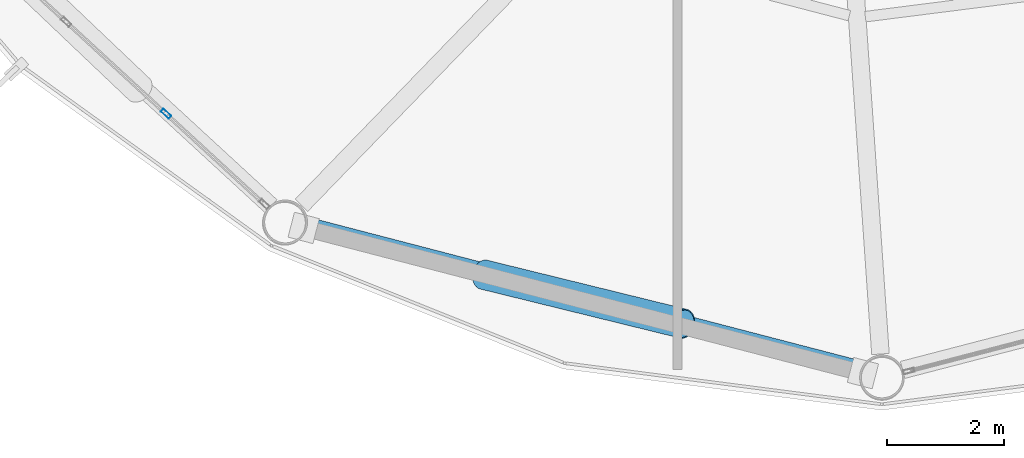
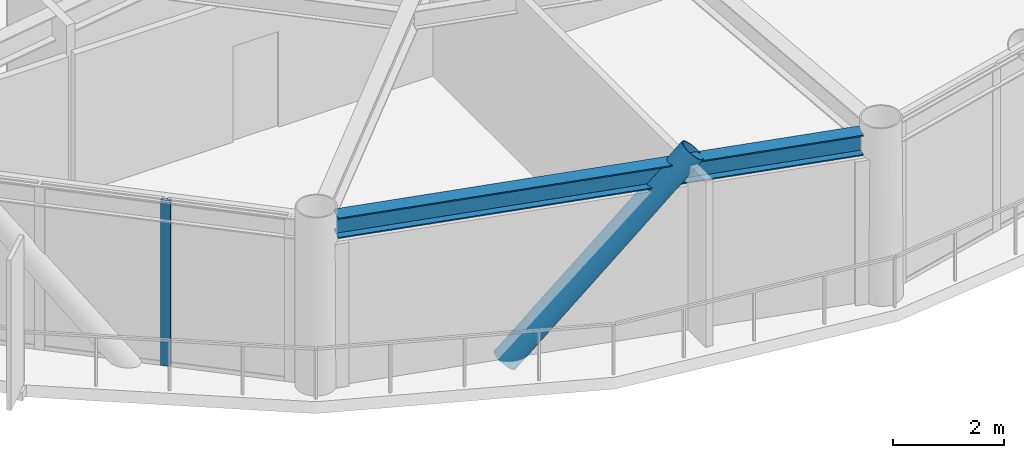
# One storey, part 3 of 24: 2 members, 1 beam, 1 element without a shape of its own.
"""IFC4 building model written with IfcOpenShell, lengths in metres."""

from ifc_helpers import new_model, si_unit, direction, frame, origin, origin_2d, place, context, subcontext, project, spatial, hollow_rectangle, hollow_circle, i_section, extrude, material, layer, layer_set, material_profile, profile_set, type_object, element, aggregate, save


model = new_model("IFC4")

# Units and contexts
model_context = context("Model", 3, precision=1e-05, world=origin(), true_north=direction((0.0, 1.0)))
body_context = subcontext(model_context, "Body", "Model", "MODEL_VIEW")
ifc_project = project(units=[si_unit("LENGTHUNIT", "METRE"), si_unit("AREAUNIT", "SQUARE_METRE"), si_unit("VOLUMEUNIT", "CUBIC_METRE"), si_unit("PLANEANGLEUNIT", "RADIAN"), si_unit("MASSUNIT", "GRAM", prefix="KILO")], contexts=[model_context])

# Site, building, storey
site_placement = place(None, origin())
site = spatial("IfcSite", under=ifc_project, at=site_placement, CompositionType="ELEMENT")
building_placement = place(site_placement, origin())
building = spatial("IfcBuilding", under=site, at=building_placement, Name="Varnakorn Sky Granary", CompositionType="ELEMENT")
storey_placement = place(building_placement, frame((0.0, 0.0, 161.699951171875)))
storey = spatial("IfcBuildingStorey", under=building, at=storey_placement, Name="L40", CompositionType="ELEMENT", Elevation=161.699951171875)

# Beam
ifc_material_1 = material(Name="Steel S355JR", Category="steel")
ifc_material_profile_1 = material_profile(ifc_material_1, i_section(OverallWidth=0.300048828125, OverallDepth=0.449951171875, WebThickness=0.013916015625, FlangeThickness=0.02587890625, at=origin_2d()), Name="HE 450 B")
ifc_profile_set_1 = profile_set([ifc_material_profile_1], Name="Steel S355JR")
beam_type = type_object("IfcBeamType", Name="BM-SPD-Z3", PredefinedType="SPANDREL", material=ifc_profile_set_1)
beam_placement = place(storey_placement, frame((-11.3369140625, -16.34130859375, 3.4150390625), z_axis=(0.967844713662, -0.251548425232, 0.0), x_axis=(0.251548425232, 0.967844713662, 0.0)))
element("IfcBeam", 1, at=beam_placement, inside=storey, type_object=beam_type, Name="Perimeter Spandrel Ring Beam RB09 L40", PredefinedType="SPANDREL", context=body_context, shape_type="SweptSolid", body=[
    extrude(i_section(OverallWidth=0.300048828125, OverallDepth=0.449951171875, WebThickness=0.013916015625, FlangeThickness=0.02587890625, at=origin_2d()), origin(), (0.0, 0.0, 1.0), 9.797607421875),
])

# Curtain wall, member
ifc_material_2 = material(Name="Anodised Bronze Aluminium Alloy 6063-T6", Category="aluminium")
ifc_layer = layer(ifc_material_2, 0.179931640625, Name="Anodised Bronze Aluminium Alloy 6063-T6")
ifc_layer_set = layer_set([ifc_layer], Name="Anodised Bronze Aluminium Alloy 6063-T6")
curtain_wall_type = type_object("IfcCurtainWallType", Name="CW-FRM-2", PredefinedType="USERDEFINED", material=ifc_layer_set)
curtain_wall_placement = place(storey_placement, origin())
curtain_wall = element("IfcCurtainWall", 2, at=curtain_wall_placement, inside=storey, type_object=curtain_wall_type, Name="Unitised Curtain Wall CW4 CW-L40-B08", ObjectType="CURTAIN WALL", PredefinedType="USERDEFINED")
ifc_material_profile_2 = material_profile(ifc_material_2, hollow_rectangle(XDim=0.070068359375, YDim=0.18505859375, WallThickness=0.00390625, at=origin_2d()), Name="ALU MULL 70x185")
ifc_profile_set_2 = profile_set([ifc_material_profile_2], Name="Anodised Bronze Aluminium Alloy 6063-T6")
member_type_1 = type_object("IfcMemberType", Name="CW-FRM-2-MULL", PredefinedType="MULLION", material=ifc_profile_set_2)
member_1_placement = place(storey_placement, frame((-13.75732421875, -14.41943359375, 0.0), z_axis=(0.0, 0.0, 1.0), x_axis=(-0.677011277308, -0.735972642425, 0.0)))
member_1 = element("IfcMember", 3, at=member_1_placement, type_object=member_type_1, Name="CW4 mullion 2", PredefinedType="MULLION", context=body_context, shape_type="SweptSolid", body=[
    extrude(hollow_rectangle(XDim=0.070068359375, YDim=0.18505859375, WallThickness=0.00390625, at=origin_2d()), origin(), (0.0, 0.0, 1.0), 3.64013671875),
])
aggregate(curtain_wall, [member_1])

# Member
ifc_material_3 = material(Name="Steel S460M", Category="steel")
ifc_material_profile_3 = material_profile(ifc_material_3, hollow_circle(Radius=0.25390625, WallThickness=0.01806640625, at=origin_2d()), Name="CHS 508x18")
ifc_profile_set_3 = profile_set([ifc_material_profile_3], Name="Steel S460M")
member_type_2 = type_object("IfcMemberType", Name="MB-DIAG-T2", PredefinedType="BRACE", material=ifc_profile_set_3)
member_2_placement = place(storey_placement, frame((-8.31591796875, -17.1748046875, -0.1298828125), z_axis=(0.648893710655, -0.159489585267, 0.743975822499), x_axis=(0.238683066588, 0.971097520192, 0.0)))
element("IfcMember", 4, at=member_2_placement, inside=storey, type_object=member_type_2, Name="Perimeter CHS Diagrid Brace DG09 L40", PredefinedType="BRACE", context=body_context, shape_type="SweptSolid", body=[
    extrude(hollow_circle(Radius=0.25390625, WallThickness=0.01806640625, at=origin_2d()), origin(), (0.0, 0.0, 1.0), 5.268798828125),
])

save(model, "model.ifc")
